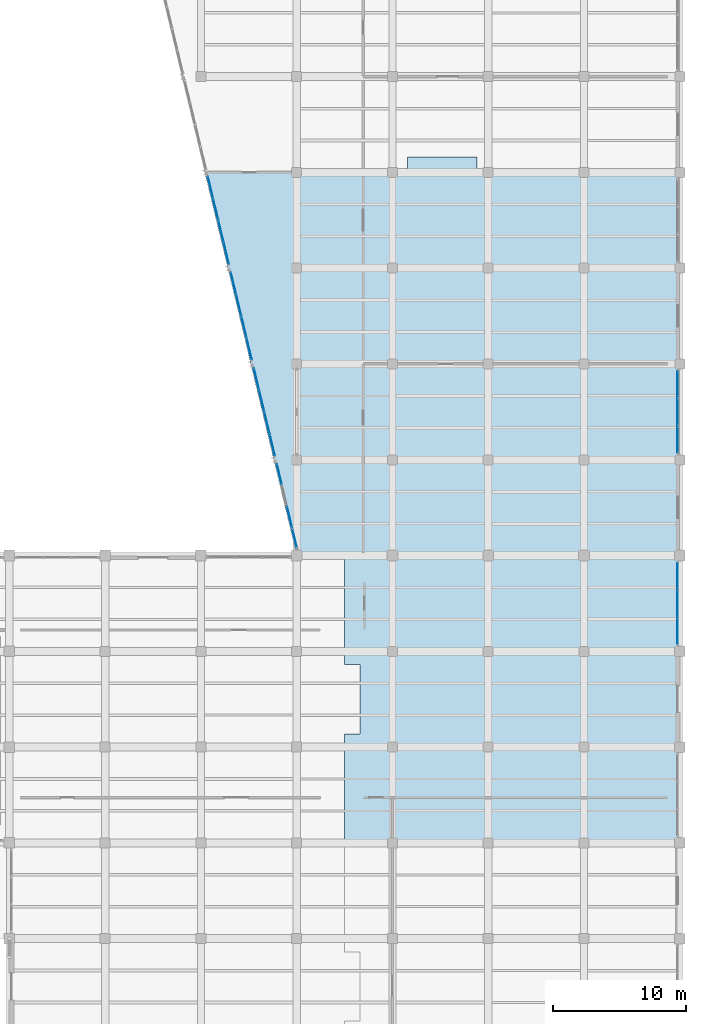
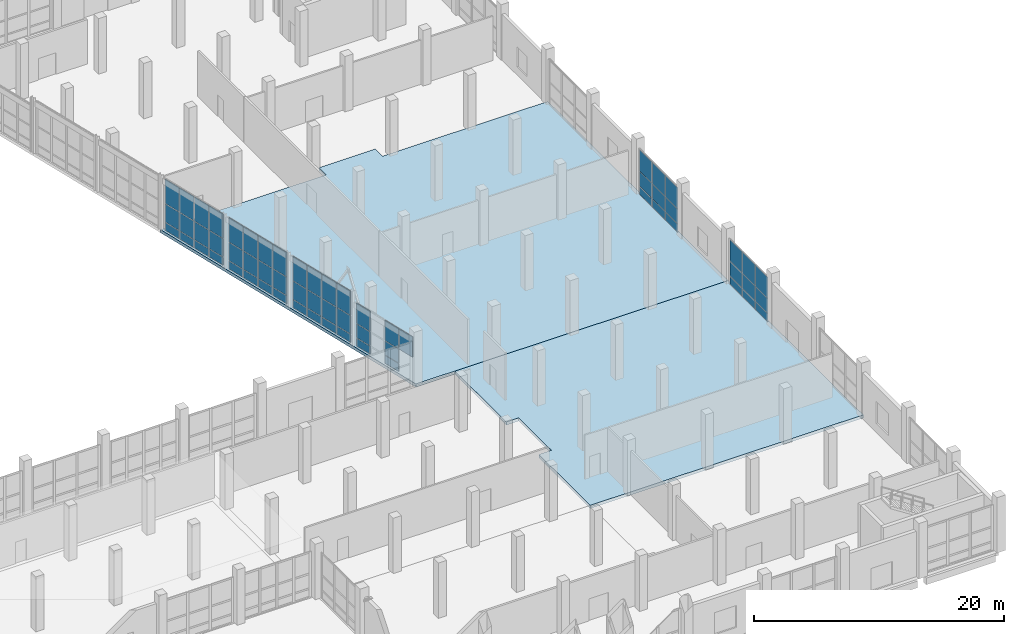
# One storey, part 93 of 137: 61 plates, 2 slabs, 6 elements without a shape of their own.
"""IFC4 building model written with IfcOpenShell, lengths in metres."""

import ifcopenshell
import ifcopenshell.guid

model = None  # the IFC model being written
_history = None  # IfcOwnerHistory: only IFC2X3 demands one
_inside = {}  # id of a spatial element -> (the spatial element, [elements in it])
_under = {}  # id of a project, library or spatial element -> (it, [spatial elements below it])
_declared = {}  # id of a project -> (the project, [libraries it declares])
_typed = {}  # id of a type object -> (the type object, [elements of that type])
_made_of = {}  # id of a material, layer set ... -> (it, [elements and type objects made of it])


def new_model(schema):
    """Start an empty IFC model of exactly this schema.

    Asked for "IFC4X3", IfcOpenShell would pick the latest addendum, in which some entities
    have other attributes; the version numbers below select the first issue.
    IFC2X3 requires an IfcOwnerHistory on every rooted entity: one is made here for all.
    """
    global model, _history
    if schema == "IFC4X3":
        model = ifcopenshell.file(schema_version=(4, 3, 0, 0))
    else:
        model = ifcopenshell.file(schema=schema)
    _inside.clear()
    _under.clear()
    _declared.clear()
    _typed.clear()
    _made_of.clear()
    _history = None
    if model.schema == "IFC2X3":
        org = make("IfcOrganization", Name="unknown")
        user = make(
            "IfcPersonAndOrganization",
            ThePerson=make("IfcPerson", FamilyName="unknown"),
            TheOrganization=org,
        )
        app = make(
            "IfcApplication",
            ApplicationDeveloper=org,
            Version="unknown",
            ApplicationFullName="unknown",
            ApplicationIdentifier="unknown",
        )
        _history = make(
            "IfcOwnerHistory",
            OwningUser=user,
            OwningApplication=app,
            ChangeAction="ADDED",
            CreationDate=0,
        )
    return model


def make(cls, **values):
    """One entity of the class cls with the attributes given. An attribute that is None is left unset."""
    return model.create_entity(
        cls, **{name: value for name, value in values.items() if value is not None}
    )


def rooted(cls, **values):
    """An entity with a GlobalId (a new one), such as an element, a storey or a relation."""
    return make(cls, GlobalId=ifcopenshell.guid.new(), OwnerHistory=_history, **values)


def si_unit(unit_type, name, prefix=None):
    """IfcSIUnit, for example si_unit("LENGTHUNIT", "METRE", prefix="MILLI")."""
    return make("IfcSIUnit", UnitType=unit_type, Prefix=prefix, Name=name)


def assignment(units):
    """IfcUnitAssignment: the units of a project."""
    return None if units is None else make("IfcUnitAssignment", Units=units)


def point(xyz):
    """IfcCartesianPoint."""
    return None if xyz is None else make("IfcCartesianPoint", Coordinates=xyz)


def direction(xyz):
    """IfcDirection."""
    return None if xyz is None else make("IfcDirection", DirectionRatios=xyz)


def frame(location, z_axis=None, x_axis=None):
    """IfcAxis2Placement3D, a coordinate frame: its origin and axes. An axis left out is left unset."""
    return make(
        "IfcAxis2Placement3D",
        Location=point(location),
        Axis=direction(z_axis),
        RefDirection=direction(x_axis),
    )


def frame_2d(location, x_axis=None):
    """IfcAxis2Placement2D, a coordinate frame in the plane: its origin and x axis."""
    return make(
        "IfcAxis2Placement2D", Location=point(location), RefDirection=direction(x_axis)
    )


def origin():
    """The frame at (0, 0, 0) with its axes left unset."""
    return frame((0.0, 0.0, 0.0))


def origin_2d():
    """The frame at (0, 0) in the plane with its x axis left unset."""
    return frame_2d((0.0, 0.0))


def place(relative_to, where):
    """IfcLocalPlacement: puts the frame where relative to a parent placement (None: the world)."""
    return make(
        "IfcLocalPlacement", PlacementRelTo=relative_to, RelativePlacement=where
    )


def context(
    kind, dimensions, precision=None, world=None, true_north=None, identifier=None
):
    """IfcGeometricRepresentationContext, for example the 3D "Model" context."""
    return make(
        "IfcGeometricRepresentationContext",
        ContextIdentifier=identifier,
        ContextType=kind,
        CoordinateSpaceDimension=dimensions,
        Precision=precision,
        WorldCoordinateSystem=world,
        TrueNorth=true_north,
    )


def subcontext(parent, identifier, kind, view, scale=None):
    """IfcGeometricRepresentationSubContext, for example "Body" below "Model"."""
    return make(
        "IfcGeometricRepresentationSubContext",
        ContextIdentifier=identifier,
        ContextType=kind,
        ParentContext=parent,
        TargetScale=scale,
        TargetView=view,
    )


def project(units=None, contexts=None):
    """IfcProject with its units and contexts."""
    return rooted(
        "IfcProject",
        Name="project",
        RepresentationContexts=contexts,
        UnitsInContext=assignment(units),
    )


def spatial(cls, under=None, at=None, **own):
    """A site, building, storey or space (cls), placed at a placement, below another one or the project."""
    s = rooted(cls, ObjectPlacement=at, **own)
    if under is not None:
        _under.setdefault(under.id(), (under, []))[1].append(s)
    return s


def polyline(points):
    """IfcPolyline through the points."""
    return make("IfcPolyline", Points=[point(p) for p in points])


def profile(cls, at=None, kind="AREA", **sizes):
    """A parametric profile (cls). Its sizes go by their IFC names, for example OverallWidth=200.0."""
    return make(cls, ProfileType=kind, Position=at, **sizes)


def rectangle(**sizes):
    """IfcRectangleProfileDef."""
    return profile("IfcRectangleProfileDef", **sizes)


def outline(outer, holes=None, kind="AREA"):
    """IfcArbitraryClosedProfileDef: a profile drawn as a closed curve; with holes, ...WithVoids."""
    if holes is None:
        return make("IfcArbitraryClosedProfileDef", ProfileType=kind, OuterCurve=outer)
    return make(
        "IfcArbitraryProfileDefWithVoids",
        ProfileType=kind,
        OuterCurve=outer,
        InnerCurves=holes,
    )


def extrude(swept, where, along, depth):
    """IfcExtrudedAreaSolid: the profile swept, set in the frame where, extruded along a direction by depth."""
    return make(
        "IfcExtrudedAreaSolid",
        SweptArea=swept,
        Position=where,
        ExtrudedDirection=direction(along),
        Depth=depth,
    )


def shape(context_of_items, identifier, shape_type, items):
    """IfcShapeRepresentation: the items that make up one representation, for example the "Body"."""
    return make(
        "IfcShapeRepresentation",
        ContextOfItems=context_of_items,
        RepresentationIdentifier=identifier,
        RepresentationType=shape_type,
        Items=items,
    )


def material(Name=None, Category=None):
    """IfcMaterial."""
    return make("IfcMaterial", Name=Name, Category=Category)


def layer(
    of_material, thickness, ventilated=None, Name=None, Category=None, Priority=None
):
    """IfcMaterialLayer: one layer of a wall or slab, of a material (None: an air gap)."""
    return make(
        "IfcMaterialLayer",
        Material=of_material,
        LayerThickness=thickness,
        IsVentilated=ventilated,
        Name=Name,
        Category=Category,
        Priority=Priority,
    )


def layer_set(layers, Name=None):
    """IfcMaterialLayerSet."""
    return make("IfcMaterialLayerSet", MaterialLayers=layers, LayerSetName=Name)


def made_of(thing, what):
    """Note that an element or type object is made of a material, layer set ...; save() writes the relation."""
    if what is not None:
        _made_of.setdefault(what.id(), (what, []))[1].append(thing)
    return thing


def type_object(cls, material=None, **own):
    """A type object (cls), such as IfcWallType, which elements share."""
    return made_of(rooted(cls, **own), material)


def element(
    cls,
    number,
    at=None,
    inside=None,
    cuts=None,
    type_object=None,
    material=None,
    context=None,
    identifier="Body",
    shape_type=None,
    held_by="IfcProductDefinitionShape",
    body=None,
    shapes=None,
    **own,
):
    """One element of the class cls, such as IfcWall. Its Tag is "e" and its number.

    at: its placement. inside: the storey or other place that contains it. cuts: it is an
    opening in that element (IfcRelVoidsElement). A single representation is given by context,
    identifier, shape_type and body (its items); several are given by shapes. held_by: the class
    of the entity that holds the representations. save() writes the other relations.
    """
    e = rooted(cls, Tag="e%d" % number, ObjectPlacement=at, **own)
    if body is not None:
        shapes = [shape(context, identifier, shape_type, body)]
    if shapes is not None:
        e.Representation = make(held_by, Representations=shapes)
    if inside is not None:
        _inside.setdefault(inside.id(), (inside, []))[1].append(e)
    if cuts is not None:
        rooted(
            "IfcRelVoidsElement", RelatingBuildingElement=cuts, RelatedOpeningElement=e
        )
    if type_object is not None:
        _typed.setdefault(type_object.id(), (type_object, []))[1].append(e)
    return made_of(e, material)


def aggregate(whole, parts):
    """IfcRelAggregates: a whole, such as a stair, and the parts it consists of."""
    return rooted("IfcRelAggregates", RelatingObject=whole, RelatedObjects=parts)


def save(model, path):
    """Write the relations noted so far, then the file.

    IfcRelAggregates (storeys below a building ...), IfcRelContainedInSpatialStructure (elements
    in a storey), IfcRelDefinesByType, IfcRelAssociatesMaterial and IfcRelDeclares: one each for
    every whole, place, type object, material and project.
    """
    for whole, parts in _under.values():
        aggregate(whole, parts)
    for where, things in _inside.values():
        rooted(
            "IfcRelContainedInSpatialStructure",
            RelatedElements=things,
            RelatingStructure=where,
        )
    for kind, things in _typed.values():
        rooted("IfcRelDefinesByType", RelatedObjects=things, RelatingType=kind)
    for what, things in _made_of.values():
        rooted("IfcRelAssociatesMaterial", RelatedObjects=things, RelatingMaterial=what)
    for by, libraries in _declared.values():
        rooted("IfcRelDeclares", RelatingContext=by, RelatedDefinitions=libraries)
    model.write(path)


model = new_model("IFC4")

# Units and contexts
model_context = context("Model", 3, precision=1e-05, world=origin(), true_north=direction((0.0, 1.0)))
body_context = subcontext(model_context, "Body", "Model", "MODEL_VIEW")
ifc_project = project(units=[si_unit("LENGTHUNIT", "METRE"), si_unit("AREAUNIT", "SQUARE_METRE"), si_unit("VOLUMEUNIT", "CUBIC_METRE"), si_unit("PLANEANGLEUNIT", "RADIAN"), si_unit("MASSUNIT", "GRAM", prefix="KILO")], contexts=[model_context])

# Site, building, storey
site_placement = place(None, origin())
site = spatial("IfcSite", under=ifc_project, at=site_placement, CompositionType="ELEMENT")
building_placement = place(site_placement, origin())
building = spatial("IfcBuilding", under=site, at=building_placement, Name="Kalmorath City Hall", CompositionType="ELEMENT")
storey_placement = place(building_placement, origin())
storey = spatial("IfcBuildingStorey", under=building, at=storey_placement, Name="L00", CompositionType="ELEMENT", Elevation=0.0)

# Slabs
ifc_material_1 = material(Name="Concrete C40/50", Category="concrete")
ifc_layer_1 = layer(ifc_material_1, 0.300048828125)
ifc_layer_set_1 = layer_set([ifc_layer_1], Name="Concrete C40/50")
slab_type = type_object("IfcSlabType", Name="Concrete ground floor slab 300", PredefinedType="FLOOR", material=ifc_layer_set_1)
slab_1_placement = place(storey_placement, frame((0.0, 0.0, -0.300048828125)))
element("IfcSlab", 1, at=slab_1_placement, inside=storey, type_object=slab_type, Name="L00 Council Chamber Pavilion slab FS1-4", PredefinedType="FLOOR", context=body_context, shape_type="SweptSolid", body=[
    extrude(outline(polyline([(140.39990234375, 21.60009765625), (140.39990234375, 29.800048828125), (141.550048828125, 29.800048828125), (141.550048828125, 35.0), (140.39990234375, 35.0), (140.39990234375, 43.199951171875), (165.60009765625, 43.199951171875), (165.60009765625, 21.60009765625), (140.39990234375, 21.60009765625)])), origin(), (0.0, 0.0, 1.0), 0.300048828125),
])
slab_2_placement = place(storey_placement, frame((0.0, 0.0, -0.300048828125)))
element("IfcSlab", 2, at=slab_2_placement, inside=storey, type_object=slab_type, Name="L00 Members Library Pavilion slab FS1-1", PredefinedType="FLOOR", context=body_context, shape_type="SweptSolid", body=[
    extrude(outline(polyline([(145.142822265625, 72.0), (145.142822265625, 73.14990234375), (150.3427734375, 73.14990234375), (150.3427734375, 72.0), (165.60009765625, 72.0), (165.60009765625, 43.199951171875), (136.800048828125, 43.199951171875), (129.885498046875, 72.0), (145.142822265625, 72.0)])), origin(), (0.0, 0.0, 1.0), 0.300048828125),
])

# Curtain wall, plates
ifc_material_2 = material(Name="Anodised aluminium and laminated glass", Category="aluminium")
curtain_wall_type_1 = type_object("IfcCurtainWallType", Name="Unitised hurricane curtain wall 6270x4461 M1850", PredefinedType="NOTDEFINED", material=ifc_material_2)
curtain_wall_1_placement = place(storey_placement, origin())
curtain_wall_1 = element("IfcCurtainWall", 3, at=curtain_wall_1_placement, inside=storey, type_object=curtain_wall_type_1, Name="L00 curtain wall CW-63X45M18 #8", PredefinedType="NOTDEFINED")
ifc_material_3 = material(Name="Hurricane laminated low-E glass", Category="glass")
ifc_layer_2 = layer(ifc_material_3, 0.035888671875)
ifc_layer_set_2 = layer_set([ifc_layer_2], Name="Hurricane laminated low-E glass")
plate_type_1 = type_object("IfcPlateType", Name="Library acoustic low-E glazed panel 36", PredefinedType="CURTAIN_PANEL", material=ifc_layer_set_2)
plate_1_placement = place(storey_placement, frame((165.43994140625, 56.0712890625, 0.06005859375), z_axis=(0.0, 0.0, 1.0), x_axis=(0.0, -1.0, 0.0)))
plate_1 = element("IfcPlate", 4, at=plate_1_placement, type_object=plate_type_1, Name="CW-63X45M18 panel 1.1", PredefinedType="CURTAIN_PANEL", context=body_context, shape_type="SweptSolid", body=[
    extrude(rectangle(XDim=1.9775390625, YDim=0.035888671875, at=origin_2d()), origin(), (0.0, 0.0, 1.0), 0.760009765625),
])
plate_2_placement = place(storey_placement, frame((165.43994140625, 56.0712890625, 0.8798828125), z_axis=(0.0, 0.0, 1.0), x_axis=(0.0, -1.0, 0.0)))
plate_2 = element("IfcPlate", 5, at=plate_2_placement, type_object=plate_type_1, Name="CW-63X45M18 panel 1.2", PredefinedType="CURTAIN_PANEL", context=body_context, shape_type="SweptSolid", body=[
    extrude(rectangle(XDim=1.9775390625, YDim=0.035888671875, at=origin_2d()), origin(), (0.0, 0.0, 1.0), 1.409912109375),
])
plate_3_placement = place(storey_placement, frame((165.43994140625, 56.0712890625, 2.35009765625), z_axis=(0.0, 0.0, 1.0), x_axis=(0.0, -1.0, 0.0)))
plate_3 = element("IfcPlate", 6, at=plate_3_placement, type_object=plate_type_1, Name="CW-63X45M18 panel 1.3", PredefinedType="CURTAIN_PANEL", context=body_context, shape_type="SweptSolid", body=[
    extrude(rectangle(XDim=1.9775390625, YDim=0.035888671875, at=origin_2d()), origin(), (0.0, 0.0, 1.0), 2.051025390625),
])
plate_4_placement = place(storey_placement, frame((165.43994140625, 54.0, 0.06005859375), z_axis=(0.0, 0.0, 1.0), x_axis=(0.0, -1.0, 0.0)))
plate_4 = element("IfcPlate", 7, at=plate_4_placement, type_object=plate_type_1, Name="CW-63X45M18 panel 2.1", PredefinedType="CURTAIN_PANEL", context=body_context, shape_type="SweptSolid", body=[
    extrude(rectangle(XDim=2.014892578125, YDim=0.035888671875, at=origin_2d()), origin(), (0.0, 0.0, 1.0), 0.760009765625),
])
plate_5_placement = place(storey_placement, frame((165.43994140625, 54.0, 0.8798828125), z_axis=(0.0, 0.0, 1.0), x_axis=(0.0, -1.0, 0.0)))
plate_5 = element("IfcPlate", 8, at=plate_5_placement, type_object=plate_type_1, Name="CW-63X45M18 panel 2.2", PredefinedType="CURTAIN_PANEL", context=body_context, shape_type="SweptSolid", body=[
    extrude(rectangle(XDim=2.014892578125, YDim=0.035888671875, at=origin_2d()), origin(), (0.0, 0.0, 1.0), 1.409912109375),
])
plate_6_placement = place(storey_placement, frame((165.43994140625, 54.0, 2.35009765625), z_axis=(0.0, 0.0, 1.0), x_axis=(0.0, -1.0, 0.0)))
plate_6 = element("IfcPlate", 9, at=plate_6_placement, type_object=plate_type_1, Name="CW-63X45M18 panel 2.3", PredefinedType="CURTAIN_PANEL", context=body_context, shape_type="SweptSolid", body=[
    extrude(rectangle(XDim=2.014892578125, YDim=0.035888671875, at=origin_2d()), origin(), (0.0, 0.0, 1.0), 2.051025390625),
])
plate_7_placement = place(storey_placement, frame((165.43994140625, 51.9287109375, 0.06005859375), z_axis=(0.0, 0.0, 1.0), x_axis=(0.0, -1.0, 0.0)))
plate_7 = element("IfcPlate", 10, at=plate_7_placement, type_object=plate_type_1, Name="CW-63X45M18 panel 3.1", PredefinedType="CURTAIN_PANEL", context=body_context, shape_type="SweptSolid", body=[
    extrude(rectangle(XDim=1.9775390625, YDim=0.035888671875, at=origin_2d()), origin(), (0.0, 0.0, 1.0), 0.760009765625),
])
plate_8_placement = place(storey_placement, frame((165.43994140625, 51.9287109375, 0.8798828125), z_axis=(0.0, 0.0, 1.0), x_axis=(0.0, -1.0, 0.0)))
plate_8 = element("IfcPlate", 11, at=plate_8_placement, type_object=plate_type_1, Name="CW-63X45M18 panel 3.2", PredefinedType="CURTAIN_PANEL", context=body_context, shape_type="SweptSolid", body=[
    extrude(rectangle(XDim=1.9775390625, YDim=0.035888671875, at=origin_2d()), origin(), (0.0, 0.0, 1.0), 1.409912109375),
])
plate_9_placement = place(storey_placement, frame((165.43994140625, 51.9287109375, 2.35009765625), z_axis=(0.0, 0.0, 1.0), x_axis=(0.0, -1.0, 0.0)))
plate_9 = element("IfcPlate", 12, at=plate_9_placement, type_object=plate_type_1, Name="CW-63X45M18 panel 3.3", PredefinedType="CURTAIN_PANEL", context=body_context, shape_type="SweptSolid", body=[
    extrude(rectangle(XDim=1.9775390625, YDim=0.035888671875, at=origin_2d()), origin(), (0.0, 0.0, 1.0), 2.051025390625),
])
aggregate(curtain_wall_1, [plate_1, plate_2, plate_3, plate_4, plate_5, plate_6, plate_7, plate_8, plate_9])

ifc_material_4 = material(Name="Anodised aluminium and laminated glass", Category="aluminium")
curtain_wall_type_2 = type_object("IfcCurtainWallType", Name="Unitised hurricane curtain wall 6623x4311 M1850", PredefinedType="NOTDEFINED", material=ifc_material_4)
curtain_wall_2_placement = place(storey_placement, origin())
curtain_wall_2 = element("IfcCurtainWall", 13, at=curtain_wall_2_placement, inside=storey, type_object=curtain_wall_type_2, Name="L00 curtain wall CW-66X43M18 #41", PredefinedType="NOTDEFINED")
plate_10_placement = place(storey_placement, frame((136.649169921875, 44.51318359375, 2.27197265625), z_axis=(0.0, 0.0, 1.0), x_axis=(-0.233458610779, 0.972366739997, 0.0)))
plate_10 = element("IfcPlate", 14, at=plate_10_placement, type_object=plate_type_1, Name="CW-66X43M18 panel 1.3", PredefinedType="CURTAIN_PANEL", context=body_context, shape_type="SweptSolid", body=[
    extrude(rectangle(XDim=1.543212890625, YDim=0.035888671875, at=origin_2d()), origin(), (0.0, 0.0, 1.0), 1.97900390625),
])
plate_11_placement = place(storey_placement, frame((136.26708984375, 46.10498046875, 0.06005859375), z_axis=(0.0, 0.0, 1.0), x_axis=(-0.233458610779, 0.972366739997, 0.0)))
plate_11 = element("IfcPlate", 15, at=plate_11_placement, type_object=plate_type_1, Name="CW-66X43M18 panel 2.1", PredefinedType="CURTAIN_PANEL", context=body_context, shape_type="SweptSolid", body=[
    extrude(rectangle(XDim=1.580810546875, YDim=0.035888671875, at=origin_2d()), origin(), (0.0, 0.0, 1.0), 0.760009765625),
])
plate_12_placement = place(storey_placement, frame((136.26708984375, 46.10498046875, 0.8798828125), z_axis=(0.0, 0.0, 1.0), x_axis=(-0.233458610779, 0.972366739997, 0.0)))
plate_12 = element("IfcPlate", 16, at=plate_12_placement, type_object=plate_type_1, Name="CW-66X43M18 panel 2.2", PredefinedType="CURTAIN_PANEL", context=body_context, shape_type="SweptSolid", body=[
    extrude(rectangle(XDim=1.580810546875, YDim=0.035888671875, at=origin_2d()), origin(), (0.0, 0.0, 1.0), 1.33203125),
])
plate_13_placement = place(storey_placement, frame((136.26708984375, 46.10498046875, 2.27197265625), z_axis=(0.0, 0.0, 1.0), x_axis=(-0.233458610779, 0.972366739997, 0.0)))
plate_13 = element("IfcPlate", 17, at=plate_13_placement, type_object=plate_type_1, Name="CW-66X43M18 panel 2.3", PredefinedType="CURTAIN_PANEL", context=body_context, shape_type="SweptSolid", body=[
    extrude(rectangle(XDim=1.580810546875, YDim=0.035888671875, at=origin_2d()), origin(), (0.0, 0.0, 1.0), 1.97900390625),
])
plate_14_placement = place(storey_placement, frame((135.498291015625, 49.306884765625, 0.06005859375), z_axis=(0.0, 0.0, 1.0), x_axis=(-0.233458610779, 0.972366739997, 0.0)))
plate_14 = element("IfcPlate", 18, at=plate_14_placement, type_object=plate_type_1, Name="CW-66X43M18 panel 4.1", PredefinedType="CURTAIN_PANEL", context=body_context, shape_type="SweptSolid", body=[
    extrude(rectangle(XDim=1.543212890625, YDim=0.035888671875, at=origin_2d()), origin(), (0.0, 0.0, 1.0), 0.760009765625),
])
plate_15_placement = place(storey_placement, frame((135.498291015625, 49.306884765625, 0.8798828125), z_axis=(0.0, 0.0, 1.0), x_axis=(-0.233458610779, 0.972366739997, 0.0)))
plate_15 = element("IfcPlate", 19, at=plate_15_placement, type_object=plate_type_1, Name="CW-66X43M18 panel 4.2", PredefinedType="CURTAIN_PANEL", context=body_context, shape_type="SweptSolid", body=[
    extrude(rectangle(XDim=1.543212890625, YDim=0.035888671875, at=origin_2d()), origin(), (0.0, 0.0, 1.0), 1.33203125),
])
plate_16_placement = place(storey_placement, frame((135.498291015625, 49.306884765625, 2.27197265625), z_axis=(0.0, 0.0, 1.0), x_axis=(-0.233458610779, 0.972366739997, 0.0)))
plate_16 = element("IfcPlate", 20, at=plate_16_placement, type_object=plate_type_1, Name="CW-66X43M18 panel 4.3", PredefinedType="CURTAIN_PANEL", context=body_context, shape_type="SweptSolid", body=[
    extrude(rectangle(XDim=1.543212890625, YDim=0.035888671875, at=origin_2d()), origin(), (0.0, 0.0, 1.0), 1.97900390625),
])
aggregate(curtain_wall_2, [plate_10, plate_11, plate_12, plate_13, plate_14, plate_15, plate_16])

ifc_material_5 = material(Name="Anodised aluminium and laminated glass", Category="aluminium")
curtain_wall_type_3 = type_object("IfcCurtainWallType", Name="Unitised hurricane curtain wall 6849x5120 M1850", PredefinedType="NOTDEFINED", material=ifc_material_5)
curtain_wall_3_placement = place(storey_placement, origin())
curtain_wall_3 = element("IfcCurtainWall", 21, at=curtain_wall_3_placement, inside=storey, type_object=curtain_wall_type_3, Name="L00 curtain wall CW-68X51M18 #42", PredefinedType="NOTDEFINED")
plate_17_placement = place(storey_placement, frame((134.966796875, 51.520751953125, 0.06005859375), z_axis=(0.0, 0.0, 1.0), x_axis=(-0.233455781305, 0.97236741933, 0.0)))
plate_17 = element("IfcPlate", 22, at=plate_17_placement, type_object=plate_type_1, Name="CW-68X51M18 panel 1.1", PredefinedType="CURTAIN_PANEL", context=body_context, shape_type="SweptSolid", body=[
    extrude(rectangle(XDim=1.599853515625, YDim=0.035888671875, at=origin_2d()), origin(), (0.0, 0.0, 1.0), 0.760009765625),
])
plate_18_placement = place(storey_placement, frame((134.966796875, 51.520751953125, 0.880126953125), z_axis=(0.0, 0.0, 1.0), x_axis=(-0.233455781305, 0.97236741933, 0.0)))
plate_18 = element("IfcPlate", 23, at=plate_18_placement, type_object=plate_type_1, Name="CW-68X51M18 panel 1.2", PredefinedType="CURTAIN_PANEL", context=body_context, shape_type="SweptSolid", body=[
    extrude(rectangle(XDim=1.599853515625, YDim=0.035888671875, at=origin_2d()), origin(), (0.0, 0.0, 1.0), 1.751953125),
])
plate_19_placement = place(storey_placement, frame((134.966796875, 51.520751953125, 2.69189453125), z_axis=(0.0, 0.0, 1.0), x_axis=(-0.233455781305, 0.97236741933, 0.0)))
plate_19 = element("IfcPlate", 24, at=plate_19_placement, type_object=plate_type_1, Name="CW-68X51M18 panel 1.3", PredefinedType="CURTAIN_PANEL", context=body_context, shape_type="SweptSolid", body=[
    extrude(rectangle(XDim=1.599853515625, YDim=0.035888671875, at=origin_2d()), origin(), (0.0, 0.0, 1.0), 2.367919921875),
])
plate_20_placement = place(storey_placement, frame((134.571533203125, 53.16748046875, 0.06005859375), z_axis=(0.0, 0.0, 1.0), x_axis=(-0.233455781305, 0.97236741933, 0.0)))
plate_20 = element("IfcPlate", 25, at=plate_20_placement, type_object=plate_type_1, Name="CW-68X51M18 panel 2.1", PredefinedType="CURTAIN_PANEL", context=body_context, shape_type="SweptSolid", body=[
    extrude(rectangle(XDim=1.63720703125, YDim=0.035888671875, at=origin_2d()), origin(), (0.0, 0.0, 1.0), 0.760009765625),
])
plate_21_placement = place(storey_placement, frame((134.571533203125, 53.16748046875, 0.880126953125), z_axis=(0.0, 0.0, 1.0), x_axis=(-0.233455781305, 0.97236741933, 0.0)))
plate_21 = element("IfcPlate", 26, at=plate_21_placement, type_object=plate_type_1, Name="CW-68X51M18 panel 2.2", PredefinedType="CURTAIN_PANEL", context=body_context, shape_type="SweptSolid", body=[
    extrude(rectangle(XDim=1.63720703125, YDim=0.035888671875, at=origin_2d()), origin(), (0.0, 0.0, 1.0), 1.751953125),
])
plate_22_placement = place(storey_placement, frame((134.571533203125, 53.16748046875, 2.69189453125), z_axis=(0.0, 0.0, 1.0), x_axis=(-0.233455781305, 0.97236741933, 0.0)))
plate_22 = element("IfcPlate", 27, at=plate_22_placement, type_object=plate_type_1, Name="CW-68X51M18 panel 2.3", PredefinedType="CURTAIN_PANEL", context=body_context, shape_type="SweptSolid", body=[
    extrude(rectangle(XDim=1.63720703125, YDim=0.035888671875, at=origin_2d()), origin(), (0.0, 0.0, 1.0), 2.367919921875),
])
plate_23_placement = place(storey_placement, frame((134.171630859375, 54.83251953125, 0.06005859375), z_axis=(0.0, 0.0, 1.0), x_axis=(-0.233455781305, 0.97236741933, 0.0)))
plate_23 = element("IfcPlate", 28, at=plate_23_placement, type_object=plate_type_1, Name="CW-68X51M18 panel 3.1", PredefinedType="CURTAIN_PANEL", context=body_context, shape_type="SweptSolid", body=[
    extrude(rectangle(XDim=1.63720703125, YDim=0.035888671875, at=origin_2d()), origin(), (0.0, 0.0, 1.0), 0.760009765625),
])
plate_24_placement = place(storey_placement, frame((134.171630859375, 54.83251953125, 0.880126953125), z_axis=(0.0, 0.0, 1.0), x_axis=(-0.233455781305, 0.97236741933, 0.0)))
plate_24 = element("IfcPlate", 29, at=plate_24_placement, type_object=plate_type_1, Name="CW-68X51M18 panel 3.2", PredefinedType="CURTAIN_PANEL", context=body_context, shape_type="SweptSolid", body=[
    extrude(rectangle(XDim=1.63720703125, YDim=0.035888671875, at=origin_2d()), origin(), (0.0, 0.0, 1.0), 1.751953125),
])
plate_25_placement = place(storey_placement, frame((134.171630859375, 54.83251953125, 2.69189453125), z_axis=(0.0, 0.0, 1.0), x_axis=(-0.233455781305, 0.97236741933, 0.0)))
plate_25 = element("IfcPlate", 30, at=plate_25_placement, type_object=plate_type_1, Name="CW-68X51M18 panel 3.3", PredefinedType="CURTAIN_PANEL", context=body_context, shape_type="SweptSolid", body=[
    extrude(rectangle(XDim=1.63720703125, YDim=0.035888671875, at=origin_2d()), origin(), (0.0, 0.0, 1.0), 2.367919921875),
])
plate_26_placement = place(storey_placement, frame((133.7763671875, 56.479248046875, 0.06005859375), z_axis=(0.0, 0.0, 1.0), x_axis=(-0.233455781305, 0.97236741933, 0.0)))
plate_26 = element("IfcPlate", 31, at=plate_26_placement, type_object=plate_type_1, Name="CW-68X51M18 panel 4.1", PredefinedType="CURTAIN_PANEL", context=body_context, shape_type="SweptSolid", body=[
    extrude(rectangle(XDim=1.599853515625, YDim=0.035888671875, at=origin_2d()), origin(), (0.0, 0.0, 1.0), 0.760009765625),
])
plate_27_placement = place(storey_placement, frame((133.7763671875, 56.479248046875, 0.880126953125), z_axis=(0.0, 0.0, 1.0), x_axis=(-0.233455781305, 0.97236741933, 0.0)))
plate_27 = element("IfcPlate", 32, at=plate_27_placement, type_object=plate_type_1, Name="CW-68X51M18 panel 4.2", PredefinedType="CURTAIN_PANEL", context=body_context, shape_type="SweptSolid", body=[
    extrude(rectangle(XDim=1.599853515625, YDim=0.035888671875, at=origin_2d()), origin(), (0.0, 0.0, 1.0), 1.751953125),
])
plate_28_placement = place(storey_placement, frame((133.7763671875, 56.479248046875, 2.69189453125), z_axis=(0.0, 0.0, 1.0), x_axis=(-0.233455781305, 0.97236741933, 0.0)))
plate_28 = element("IfcPlate", 33, at=plate_28_placement, type_object=plate_type_1, Name="CW-68X51M18 panel 4.3", PredefinedType="CURTAIN_PANEL", context=body_context, shape_type="SweptSolid", body=[
    extrude(rectangle(XDim=1.599853515625, YDim=0.035888671875, at=origin_2d()), origin(), (0.0, 0.0, 1.0), 2.367919921875),
])
aggregate(curtain_wall_3, [plate_17, plate_18, plate_19, plate_20, plate_21, plate_22, plate_23, plate_24, plate_25, plate_26, plate_27, plate_28])

curtain_wall_4_placement = place(storey_placement, origin())
curtain_wall_4 = element("IfcCurtainWall", 34, at=curtain_wall_4_placement, inside=storey, type_object=curtain_wall_type_3, Name="L00 curtain wall CW-68X51M18 #43", PredefinedType="NOTDEFINED")
plate_29_placement = place(storey_placement, frame((133.23828125, 58.720703125, 0.06005859375), z_axis=(0.0, 0.0, 1.0), x_axis=(-0.233455781305, 0.97236741933, 0.0)))
plate_29 = element("IfcPlate", 35, at=plate_29_placement, type_object=plate_type_1, Name="CW-68X51M18 panel 1.1", PredefinedType="CURTAIN_PANEL", context=body_context, shape_type="SweptSolid", body=[
    extrude(rectangle(XDim=1.599853515625, YDim=0.035888671875, at=origin_2d()), origin(), (0.0, 0.0, 1.0), 0.760009765625),
])
plate_30_placement = place(storey_placement, frame((133.23828125, 58.720703125, 0.880126953125), z_axis=(0.0, 0.0, 1.0), x_axis=(-0.233455781305, 0.97236741933, 0.0)))
plate_30 = element("IfcPlate", 36, at=plate_30_placement, type_object=plate_type_1, Name="CW-68X51M18 panel 1.2", PredefinedType="CURTAIN_PANEL", context=body_context, shape_type="SweptSolid", body=[
    extrude(rectangle(XDim=1.599853515625, YDim=0.035888671875, at=origin_2d()), origin(), (0.0, 0.0, 1.0), 1.751953125),
])
plate_31_placement = place(storey_placement, frame((133.23828125, 58.720703125, 2.69189453125), z_axis=(0.0, 0.0, 1.0), x_axis=(-0.233455781305, 0.97236741933, 0.0)))
plate_31 = element("IfcPlate", 37, at=plate_31_placement, type_object=plate_type_1, Name="CW-68X51M18 panel 1.3", PredefinedType="CURTAIN_PANEL", context=body_context, shape_type="SweptSolid", body=[
    extrude(rectangle(XDim=1.599853515625, YDim=0.035888671875, at=origin_2d()), origin(), (0.0, 0.0, 1.0), 2.367919921875),
])
plate_32_placement = place(storey_placement, frame((132.8427734375, 60.367431640625, 0.06005859375), z_axis=(0.0, 0.0, 1.0), x_axis=(-0.233455781305, 0.97236741933, 0.0)))
plate_32 = element("IfcPlate", 38, at=plate_32_placement, type_object=plate_type_1, Name="CW-68X51M18 panel 2.1", PredefinedType="CURTAIN_PANEL", context=body_context, shape_type="SweptSolid", body=[
    extrude(rectangle(XDim=1.63720703125, YDim=0.035888671875, at=origin_2d()), origin(), (0.0, 0.0, 1.0), 0.760009765625),
])
plate_33_placement = place(storey_placement, frame((132.8427734375, 60.367431640625, 0.880126953125), z_axis=(0.0, 0.0, 1.0), x_axis=(-0.233455781305, 0.97236741933, 0.0)))
plate_33 = element("IfcPlate", 39, at=plate_33_placement, type_object=plate_type_1, Name="CW-68X51M18 panel 2.2", PredefinedType="CURTAIN_PANEL", context=body_context, shape_type="SweptSolid", body=[
    extrude(rectangle(XDim=1.63720703125, YDim=0.035888671875, at=origin_2d()), origin(), (0.0, 0.0, 1.0), 1.751953125),
])
plate_34_placement = place(storey_placement, frame((132.8427734375, 60.367431640625, 2.69189453125), z_axis=(0.0, 0.0, 1.0), x_axis=(-0.233455781305, 0.97236741933, 0.0)))
plate_34 = element("IfcPlate", 40, at=plate_34_placement, type_object=plate_type_1, Name="CW-68X51M18 panel 2.3", PredefinedType="CURTAIN_PANEL", context=body_context, shape_type="SweptSolid", body=[
    extrude(rectangle(XDim=1.63720703125, YDim=0.035888671875, at=origin_2d()), origin(), (0.0, 0.0, 1.0), 2.367919921875),
])
plate_35_placement = place(storey_placement, frame((132.443115234375, 62.032470703125, 0.06005859375), z_axis=(0.0, 0.0, 1.0), x_axis=(-0.233455781305, 0.97236741933, 0.0)))
plate_35 = element("IfcPlate", 41, at=plate_35_placement, type_object=plate_type_1, Name="CW-68X51M18 panel 3.1", PredefinedType="CURTAIN_PANEL", context=body_context, shape_type="SweptSolid", body=[
    extrude(rectangle(XDim=1.63720703125, YDim=0.035888671875, at=origin_2d()), origin(), (0.0, 0.0, 1.0), 0.760009765625),
])
plate_36_placement = place(storey_placement, frame((132.443115234375, 62.032470703125, 0.880126953125), z_axis=(0.0, 0.0, 1.0), x_axis=(-0.233455781305, 0.97236741933, 0.0)))
plate_36 = element("IfcPlate", 42, at=plate_36_placement, type_object=plate_type_1, Name="CW-68X51M18 panel 3.2", PredefinedType="CURTAIN_PANEL", context=body_context, shape_type="SweptSolid", body=[
    extrude(rectangle(XDim=1.63720703125, YDim=0.035888671875, at=origin_2d()), origin(), (0.0, 0.0, 1.0), 1.751953125),
])
plate_37_placement = place(storey_placement, frame((132.443115234375, 62.032470703125, 2.69189453125), z_axis=(0.0, 0.0, 1.0), x_axis=(-0.233455781305, 0.97236741933, 0.0)))
plate_37 = element("IfcPlate", 43, at=plate_37_placement, type_object=plate_type_1, Name="CW-68X51M18 panel 3.3", PredefinedType="CURTAIN_PANEL", context=body_context, shape_type="SweptSolid", body=[
    extrude(rectangle(XDim=1.63720703125, YDim=0.035888671875, at=origin_2d()), origin(), (0.0, 0.0, 1.0), 2.367919921875),
])
plate_38_placement = place(storey_placement, frame((132.0478515625, 63.67919921875, 0.06005859375), z_axis=(0.0, 0.0, 1.0), x_axis=(-0.233455781305, 0.97236741933, 0.0)))
plate_38 = element("IfcPlate", 44, at=plate_38_placement, type_object=plate_type_1, Name="CW-68X51M18 panel 4.1", PredefinedType="CURTAIN_PANEL", context=body_context, shape_type="SweptSolid", body=[
    extrude(rectangle(XDim=1.599853515625, YDim=0.035888671875, at=origin_2d()), origin(), (0.0, 0.0, 1.0), 0.760009765625),
])
plate_39_placement = place(storey_placement, frame((132.0478515625, 63.67919921875, 0.880126953125), z_axis=(0.0, 0.0, 1.0), x_axis=(-0.233455781305, 0.97236741933, 0.0)))
plate_39 = element("IfcPlate", 45, at=plate_39_placement, type_object=plate_type_1, Name="CW-68X51M18 panel 4.2", PredefinedType="CURTAIN_PANEL", context=body_context, shape_type="SweptSolid", body=[
    extrude(rectangle(XDim=1.599853515625, YDim=0.035888671875, at=origin_2d()), origin(), (0.0, 0.0, 1.0), 1.751953125),
])
plate_40_placement = place(storey_placement, frame((132.0478515625, 63.67919921875, 2.69189453125), z_axis=(0.0, 0.0, 1.0), x_axis=(-0.233455781305, 0.97236741933, 0.0)))
plate_40 = element("IfcPlate", 46, at=plate_40_placement, type_object=plate_type_1, Name="CW-68X51M18 panel 4.3", PredefinedType="CURTAIN_PANEL", context=body_context, shape_type="SweptSolid", body=[
    extrude(rectangle(XDim=1.599853515625, YDim=0.035888671875, at=origin_2d()), origin(), (0.0, 0.0, 1.0), 2.367919921875),
])
aggregate(curtain_wall_4, [plate_29, plate_30, plate_31, plate_32, plate_33, plate_34, plate_35, plate_36, plate_37, plate_38, plate_39, plate_40])

curtain_wall_5_placement = place(storey_placement, origin())
curtain_wall_5 = element("IfcCurtainWall", 47, at=curtain_wall_5_placement, inside=storey, type_object=curtain_wall_type_3, Name="L00 curtain wall CW-68X51M18 #44", PredefinedType="NOTDEFINED")
plate_41_placement = place(storey_placement, frame((131.509521484375, 65.920654296875, 0.06005859375), z_axis=(0.0, 0.0, 1.0), x_axis=(-0.233441976856, 0.972370733538, 0.0)))
plate_41 = element("IfcPlate", 48, at=plate_41_placement, type_object=plate_type_1, Name="CW-68X51M18 panel 1.1", PredefinedType="CURTAIN_PANEL", context=body_context, shape_type="SweptSolid", body=[
    extrude(rectangle(XDim=1.599853515625, YDim=0.035888671875, at=origin_2d()), origin(), (0.0, 0.0, 1.0), 0.760009765625),
])
plate_42_placement = place(storey_placement, frame((131.509521484375, 65.920654296875, 0.880126953125), z_axis=(0.0, 0.0, 1.0), x_axis=(-0.233441976856, 0.972370733538, 0.0)))
plate_42 = element("IfcPlate", 49, at=plate_42_placement, type_object=plate_type_1, Name="CW-68X51M18 panel 1.2", PredefinedType="CURTAIN_PANEL", context=body_context, shape_type="SweptSolid", body=[
    extrude(rectangle(XDim=1.599853515625, YDim=0.035888671875, at=origin_2d()), origin(), (0.0, 0.0, 1.0), 1.751953125),
])
plate_43_placement = place(storey_placement, frame((131.509521484375, 65.920654296875, 2.69189453125), z_axis=(0.0, 0.0, 1.0), x_axis=(-0.233441976856, 0.972370733538, 0.0)))
plate_43 = element("IfcPlate", 50, at=plate_43_placement, type_object=plate_type_1, Name="CW-68X51M18 panel 1.3", PredefinedType="CURTAIN_PANEL", context=body_context, shape_type="SweptSolid", body=[
    extrude(rectangle(XDim=1.599853515625, YDim=0.035888671875, at=origin_2d()), origin(), (0.0, 0.0, 1.0), 2.367919921875),
])
plate_44_placement = place(storey_placement, frame((131.1142578125, 67.5673828125, 0.06005859375), z_axis=(0.0, 0.0, 1.0), x_axis=(-0.233441976856, 0.972370733538, 0.0)))
plate_44 = element("IfcPlate", 51, at=plate_44_placement, type_object=plate_type_1, Name="CW-68X51M18 panel 2.1", PredefinedType="CURTAIN_PANEL", context=body_context, shape_type="SweptSolid", body=[
    extrude(rectangle(XDim=1.63720703125, YDim=0.035888671875, at=origin_2d()), origin(), (0.0, 0.0, 1.0), 0.760009765625),
])
plate_45_placement = place(storey_placement, frame((131.1142578125, 67.5673828125, 0.880126953125), z_axis=(0.0, 0.0, 1.0), x_axis=(-0.233441976856, 0.972370733538, 0.0)))
plate_45 = element("IfcPlate", 52, at=plate_45_placement, type_object=plate_type_1, Name="CW-68X51M18 panel 2.2", PredefinedType="CURTAIN_PANEL", context=body_context, shape_type="SweptSolid", body=[
    extrude(rectangle(XDim=1.63720703125, YDim=0.035888671875, at=origin_2d()), origin(), (0.0, 0.0, 1.0), 1.751953125),
])
plate_46_placement = place(storey_placement, frame((131.1142578125, 67.5673828125, 2.69189453125), z_axis=(0.0, 0.0, 1.0), x_axis=(-0.233441976856, 0.972370733538, 0.0)))
plate_46 = element("IfcPlate", 53, at=plate_46_placement, type_object=plate_type_1, Name="CW-68X51M18 panel 2.3", PredefinedType="CURTAIN_PANEL", context=body_context, shape_type="SweptSolid", body=[
    extrude(rectangle(XDim=1.63720703125, YDim=0.035888671875, at=origin_2d()), origin(), (0.0, 0.0, 1.0), 2.367919921875),
])
plate_47_placement = place(storey_placement, frame((130.714599609375, 69.232421875, 0.06005859375), z_axis=(0.0, 0.0, 1.0), x_axis=(-0.233441976856, 0.972370733538, 0.0)))
plate_47 = element("IfcPlate", 54, at=plate_47_placement, type_object=plate_type_1, Name="CW-68X51M18 panel 3.1", PredefinedType="CURTAIN_PANEL", context=body_context, shape_type="SweptSolid", body=[
    extrude(rectangle(XDim=1.63720703125, YDim=0.035888671875, at=origin_2d()), origin(), (0.0, 0.0, 1.0), 0.760009765625),
])
plate_48_placement = place(storey_placement, frame((130.714599609375, 69.232421875, 0.880126953125), z_axis=(0.0, 0.0, 1.0), x_axis=(-0.233441976856, 0.972370733538, 0.0)))
plate_48 = element("IfcPlate", 55, at=plate_48_placement, type_object=plate_type_1, Name="CW-68X51M18 panel 3.2", PredefinedType="CURTAIN_PANEL", context=body_context, shape_type="SweptSolid", body=[
    extrude(rectangle(XDim=1.63720703125, YDim=0.035888671875, at=origin_2d()), origin(), (0.0, 0.0, 1.0), 1.751953125),
])
plate_49_placement = place(storey_placement, frame((130.714599609375, 69.232421875, 2.69189453125), z_axis=(0.0, 0.0, 1.0), x_axis=(-0.233441976856, 0.972370733538, 0.0)))
plate_49 = element("IfcPlate", 56, at=plate_49_placement, type_object=plate_type_1, Name="CW-68X51M18 panel 3.3", PredefinedType="CURTAIN_PANEL", context=body_context, shape_type="SweptSolid", body=[
    extrude(rectangle(XDim=1.63720703125, YDim=0.035888671875, at=origin_2d()), origin(), (0.0, 0.0, 1.0), 2.367919921875),
])
plate_50_placement = place(storey_placement, frame((130.319091796875, 70.879150390625, 0.06005859375), z_axis=(0.0, 0.0, 1.0), x_axis=(-0.233441976856, 0.972370733538, 0.0)))
plate_50 = element("IfcPlate", 57, at=plate_50_placement, type_object=plate_type_1, Name="CW-68X51M18 panel 4.1", PredefinedType="CURTAIN_PANEL", context=body_context, shape_type="SweptSolid", body=[
    extrude(rectangle(XDim=1.599853515625, YDim=0.035888671875, at=origin_2d()), origin(), (0.0, 0.0, 1.0), 0.760009765625),
])
plate_51_placement = place(storey_placement, frame((130.319091796875, 70.879150390625, 0.880126953125), z_axis=(0.0, 0.0, 1.0), x_axis=(-0.233441976856, 0.972370733538, 0.0)))
plate_51 = element("IfcPlate", 58, at=plate_51_placement, type_object=plate_type_1, Name="CW-68X51M18 panel 4.2", PredefinedType="CURTAIN_PANEL", context=body_context, shape_type="SweptSolid", body=[
    extrude(rectangle(XDim=1.599853515625, YDim=0.035888671875, at=origin_2d()), origin(), (0.0, 0.0, 1.0), 1.751953125),
])
plate_52_placement = place(storey_placement, frame((130.319091796875, 70.879150390625, 2.69189453125), z_axis=(0.0, 0.0, 1.0), x_axis=(-0.233441976856, 0.972370733538, 0.0)))
plate_52 = element("IfcPlate", 59, at=plate_52_placement, type_object=plate_type_1, Name="CW-68X51M18 panel 4.3", PredefinedType="CURTAIN_PANEL", context=body_context, shape_type="SweptSolid", body=[
    extrude(rectangle(XDim=1.599853515625, YDim=0.035888671875, at=origin_2d()), origin(), (0.0, 0.0, 1.0), 2.367919921875),
])
aggregate(curtain_wall_5, [plate_41, plate_42, plate_43, plate_44, plate_45, plate_46, plate_47, plate_48, plate_49, plate_50, plate_51, plate_52])

ifc_material_6 = material(Name="Anodised aluminium and laminated glass", Category="aluminium")
curtain_wall_type_4 = type_object("IfcCurtainWallType", Name="Unitised hurricane curtain wall 6220x4461 M1800", PredefinedType="NOTDEFINED", material=ifc_material_6)
curtain_wall_6_placement = place(storey_placement, origin())
curtain_wall_6 = element("IfcCurtainWall", 60, at=curtain_wall_6_placement, inside=storey, type_object=curtain_wall_type_4, Name="L00 curtain wall CW-62X45M18 #9", PredefinedType="NOTDEFINED")
ifc_material_7 = material(Name="Hurricane laminated low-E glass", Category="glass")
ifc_layer_3 = layer(ifc_material_7, 0.0400390625)
ifc_layer_set_3 = layer_set([ifc_layer_3], Name="Hurricane laminated low-E glass")
plate_type_2 = type_object("IfcPlateType", Name="Public hall laminated glass panel 40", PredefinedType="CURTAIN_PANEL", material=ifc_layer_set_3)
plate_53_placement = place(storey_placement, frame((165.43994140625, 41.654541015625, 0.06494140625), z_axis=(0.0, 0.0, 1.0), x_axis=(0.0, -1.0, 0.0)))
plate_53 = element("IfcPlate", 61, at=plate_53_placement, type_object=plate_type_2, Name="CW-62X45M18 panel 1.1", PredefinedType="CURTAIN_PANEL", context=body_context, shape_type="SweptSolid", body=[
    extrude(rectangle(XDim=1.9609375, YDim=0.0400390625, at=origin_2d()), origin(), (0.0, 0.0, 1.0), 0.75244140625),
])
plate_54_placement = place(storey_placement, frame((165.43994140625, 41.654541015625, 0.88232421875), z_axis=(0.0, 0.0, 1.0), x_axis=(0.0, -1.0, 0.0)))
plate_54 = element("IfcPlate", 62, at=plate_54_placement, type_object=plate_type_2, Name="CW-62X45M18 panel 1.2", PredefinedType="CURTAIN_PANEL", context=body_context, shape_type="SweptSolid", body=[
    extrude(rectangle(XDim=1.9609375, YDim=0.0400390625, at=origin_2d()), origin(), (0.0, 0.0, 1.0), 1.405029296875),
])
plate_55_placement = place(storey_placement, frame((165.43994140625, 41.654541015625, 2.3525390625), z_axis=(0.0, 0.0, 1.0), x_axis=(0.0, -1.0, 0.0)))
plate_55 = element("IfcPlate", 63, at=plate_55_placement, type_object=plate_type_2, Name="CW-62X45M18 panel 1.3", PredefinedType="CURTAIN_PANEL", context=body_context, shape_type="SweptSolid", body=[
    extrude(rectangle(XDim=1.9609375, YDim=0.0400390625, at=origin_2d()), origin(), (0.0, 0.0, 1.0), 2.04345703125),
])
plate_56_placement = place(storey_placement, frame((165.43994140625, 39.60009765625, 0.06494140625), z_axis=(0.0, 0.0, 1.0), x_axis=(0.0, -1.0, 0.0)))
plate_56 = element("IfcPlate", 64, at=plate_56_placement, type_object=plate_type_2, Name="CW-62X45M18 panel 2.1", PredefinedType="CURTAIN_PANEL", context=body_context, shape_type="SweptSolid", body=[
    extrude(rectangle(XDim=1.998291015625, YDim=0.0400390625, at=origin_2d()), origin(), (0.0, 0.0, 1.0), 0.75244140625),
])
plate_57_placement = place(storey_placement, frame((165.43994140625, 39.60009765625, 0.88232421875), z_axis=(0.0, 0.0, 1.0), x_axis=(0.0, -1.0, 0.0)))
plate_57 = element("IfcPlate", 65, at=plate_57_placement, type_object=plate_type_2, Name="CW-62X45M18 panel 2.2", PredefinedType="CURTAIN_PANEL", context=body_context, shape_type="SweptSolid", body=[
    extrude(rectangle(XDim=1.998291015625, YDim=0.0400390625, at=origin_2d()), origin(), (0.0, 0.0, 1.0), 1.405029296875),
])
plate_58_placement = place(storey_placement, frame((165.43994140625, 39.60009765625, 2.3525390625), z_axis=(0.0, 0.0, 1.0), x_axis=(0.0, -1.0, 0.0)))
plate_58 = element("IfcPlate", 66, at=plate_58_placement, type_object=plate_type_2, Name="CW-62X45M18 panel 2.3", PredefinedType="CURTAIN_PANEL", context=body_context, shape_type="SweptSolid", body=[
    extrude(rectangle(XDim=1.998291015625, YDim=0.0400390625, at=origin_2d()), origin(), (0.0, 0.0, 1.0), 2.04345703125),
])
plate_59_placement = place(storey_placement, frame((165.43994140625, 37.54541015625, 0.06494140625), z_axis=(0.0, 0.0, 1.0), x_axis=(0.0, -1.0, 0.0)))
plate_59 = element("IfcPlate", 67, at=plate_59_placement, type_object=plate_type_2, Name="CW-62X45M18 panel 3.1", PredefinedType="CURTAIN_PANEL", context=body_context, shape_type="SweptSolid", body=[
    extrude(rectangle(XDim=1.9609375, YDim=0.0400390625, at=origin_2d()), origin(), (0.0, 0.0, 1.0), 0.75244140625),
])
plate_60_placement = place(storey_placement, frame((165.43994140625, 37.54541015625, 0.88232421875), z_axis=(0.0, 0.0, 1.0), x_axis=(0.0, -1.0, 0.0)))
plate_60 = element("IfcPlate", 68, at=plate_60_placement, type_object=plate_type_2, Name="CW-62X45M18 panel 3.2", PredefinedType="CURTAIN_PANEL", context=body_context, shape_type="SweptSolid", body=[
    extrude(rectangle(XDim=1.9609375, YDim=0.0400390625, at=origin_2d()), origin(), (0.0, 0.0, 1.0), 1.405029296875),
])
plate_61_placement = place(storey_placement, frame((165.43994140625, 37.54541015625, 2.3525390625), z_axis=(0.0, 0.0, 1.0), x_axis=(0.0, -1.0, 0.0)))
plate_61 = element("IfcPlate", 69, at=plate_61_placement, type_object=plate_type_2, Name="CW-62X45M18 panel 3.3", PredefinedType="CURTAIN_PANEL", context=body_context, shape_type="SweptSolid", body=[
    extrude(rectangle(XDim=1.9609375, YDim=0.0400390625, at=origin_2d()), origin(), (0.0, 0.0, 1.0), 2.04345703125),
])
aggregate(curtain_wall_6, [plate_53, plate_54, plate_55, plate_56, plate_57, plate_58, plate_59, plate_60, plate_61])

save(model, "model.ifc")
